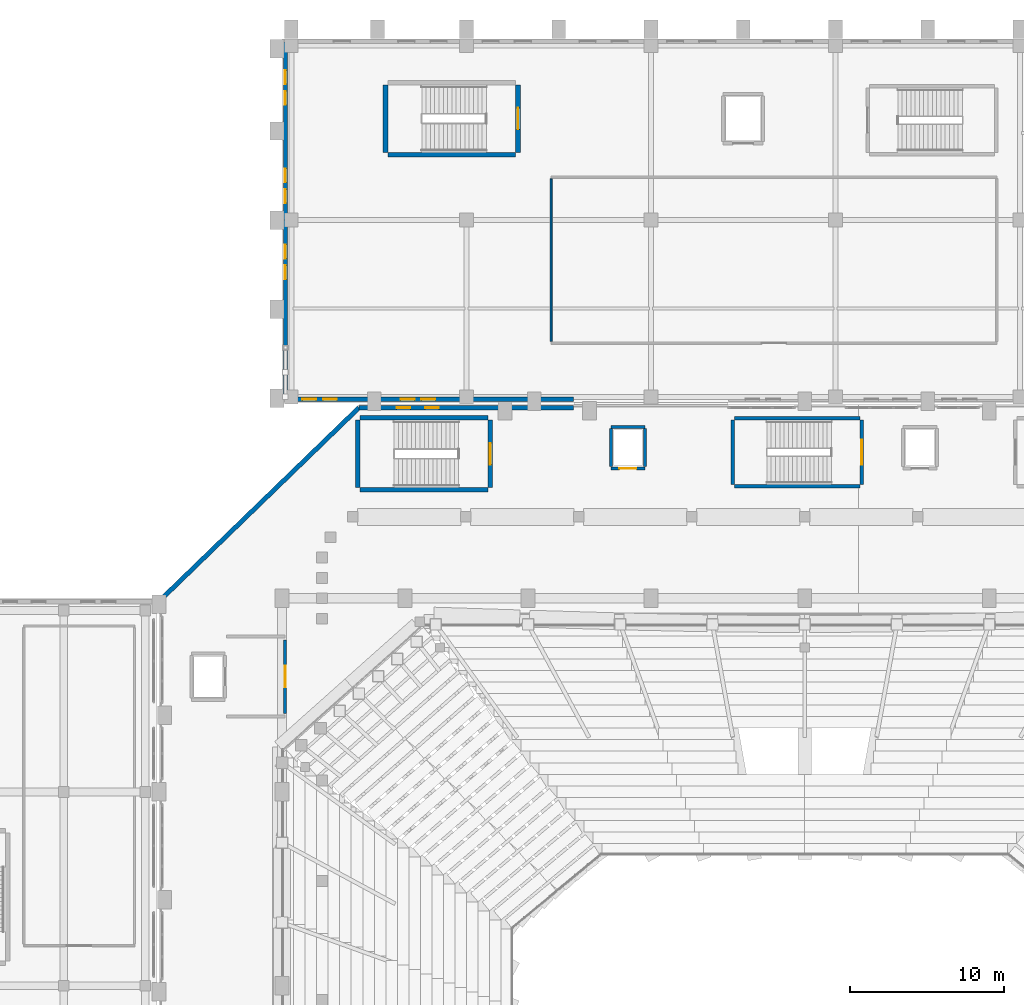
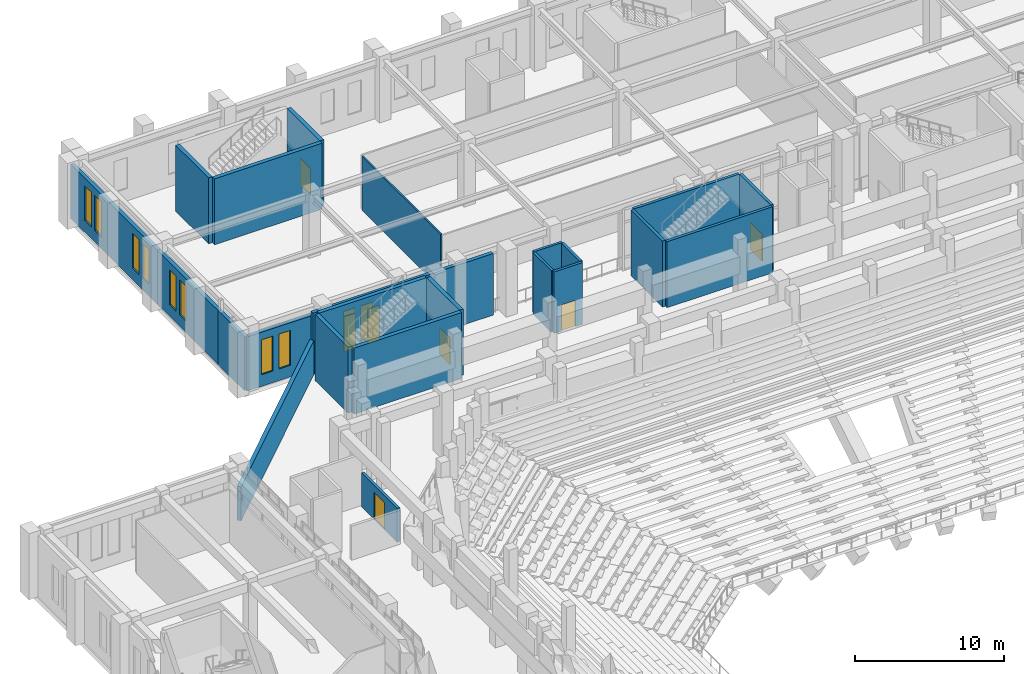
# One storey, part 130 of 159: 23 walls, 12 windows, 5 doors, 17 openings.
"""IFC4 building model written with IfcOpenShell, lengths in metres."""

from ifc_helpers import new_model, si_unit, derived_unit, direction, frame, frame_2d, origin, place, context, subcontext, project, spatial, rectangle, extrude, material, layer, layer_set, type_object, element, fill, save


model = new_model("IFC4")

# Units and contexts
model_context = context("Model", 3, precision=1e-05, world=origin(), true_north=direction((0.0, 1.0)))
body_context = subcontext(model_context, "Body", "Model", "MODEL_VIEW")
ifc_project = project(units=[si_unit("LENGTHUNIT", "METRE"), si_unit("AREAUNIT", "SQUARE_METRE"), si_unit("VOLUMEUNIT", "CUBIC_METRE"), si_unit("PLANEANGLEUNIT", "RADIAN"), si_unit("MASSUNIT", "GRAM", prefix="KILO"), derived_unit("THERMALTRANSMITTANCEUNIT", [(si_unit("MASSUNIT", "GRAM", prefix="KILO"), 1), (si_unit("TIMEUNIT", "SECOND"), -3), (si_unit("THERMODYNAMICTEMPERATUREUNIT", "KELVIN"), -1)])], contexts=[model_context])

# Site, building, storey
site_placement = place(None, origin())
site = spatial("IfcSite", under=ifc_project, at=site_placement, CompositionType="ELEMENT")
building_placement = place(site_placement, origin())
building = spatial("IfcBuilding", under=site, at=building_placement, Name="Valcora Ridge Arena", CompositionType="ELEMENT")
storey_placement = place(building_placement, frame((0.0, 0.0, 6.0)))
storey = spatial("IfcBuildingStorey", under=building, at=storey_placement, Name="L01", CompositionType="ELEMENT", Elevation=6.0)

# Wall
ifc_material_1 = material(Name="Bush-hammered Andean travertine on concrete backup C40/50", Category="masonry")
ifc_layer_1 = layer(ifc_material_1, 0.280029296875, Name="Bush-hammered Andean travertine on concrete backup C40/50")
ifc_layer_set_1 = layer_set([ifc_layer_1], Name="Bush-hammered Andean travertine on concrete backup C40/50")
wall_type_1 = type_object("IfcWallType", Name="TY-WALL-EW-TRV-28-44", PredefinedType="STANDARD", material=ifc_layer_set_1)
wall_1_placement = place(storey_placement, frame((24.219970703125, 108.550048828125, 0.0), z_axis=(0.0, 0.0, 1.0), x_axis=(0.0, 1.0, 0.0)))
element("IfcWall", 1, at=wall_1_placement, inside=storey, type_object=wall_type_1, Name="EW-TRV-28-44 WAL-EW-0155", PredefinedType="STANDARD", context=body_context, shape_type="SweptSolid", body=[
    extrude(rectangle(XDim=3.5, YDim=0.280029296875, at=frame_2d((1.75, 0.0))), origin(), (0.0, 0.0, 1.0), 4.427978515625),
])

# Wall, openings, windows
wall_2_placement = place(storey_placement, frame((24.219970703125, 112.050048828125, 0.0), z_axis=(0.0, 0.0, 1.0), x_axis=(0.0, 1.0, 0.0)))
wall_2 = element("IfcWall", 2, at=wall_2_placement, inside=storey, type_object=wall_type_1, Name="EW-TRV-28-44 WAL-EW-0156", PredefinedType="STANDARD", context=body_context, shape_type="SweptSolid", body=[
    extrude(rectangle(XDim=8.14990234375, YDim=0.280029296875, at=frame_2d((4.074951171875, 0.0))), origin(), (0.0, 0.0, 1.0), 4.427978515625),
])
opening_1_placement = place(wall_2_placement, frame((4.300048828125, 0.0, 0.949951171875)))
opening_1 = element("IfcOpeningElement", 3, at=opening_1_placement, cuts=wall_2, Name="Opening W-GLAN-90X285", PredefinedType="OPENING", context=body_context, shape_type="SweptSolid", body=[
    extrude(rectangle(XDim=0.89990234375, YDim=2.85009765625, at=frame_2d((0.449951171875, 1.425048828125))), frame((0.0, 0.14990234375, 0.0), z_axis=(0.0, -1.0, 0.0), x_axis=(1.0, 0.0, 0.0)), (0.0, 0.0, 1.0), 0.300048828125),
])
opening_2_placement = place(wall_2_placement, frame((5.64990234375, 0.0, 0.949951171875)))
opening_2 = element("IfcOpeningElement", 4, at=opening_2_placement, cuts=wall_2, Name="Opening W-GLAN-90X285", PredefinedType="OPENING", context=body_context, shape_type="SweptSolid", body=[
    extrude(rectangle(XDim=0.89990234375, YDim=2.85009765625, at=frame_2d((0.449951171875, 1.425048828125))), frame((0.0, 0.14990234375, 0.0), z_axis=(0.0, -1.0, 0.0), x_axis=(1.0, 0.0, 0.0)), (0.0, 0.0, 1.0), 0.300048828125),
])
ifc_material_2 = material(Name="Low-iron solar-control double glazing SHGC 0.28", Category="glass")
window_type = type_object("IfcWindowType", Name="TY-WINDOW-W-GLAN-90X285", PartitioningType="DOUBLE_PANEL_VERTICAL", PredefinedType="WINDOW", material=ifc_material_2)
window_1_placement = place(opening_1_placement, origin())
window_1 = element("IfcWindow", 5, at=window_1_placement, inside=storey, type_object=window_type, Name="W-GLAN-90X285 WIN-EX-0472", OverallHeight=2.85009765625, OverallWidth=0.89990234375, PartitioningType="DOUBLE_PANEL_VERTICAL", PredefinedType="WINDOW", context=body_context, shape_type="SweptSolid", body=[
    extrude(rectangle(XDim=0.89990234375, YDim=2.85009765625, at=frame_2d((0.449951171875, 1.425048828125))), frame((0.0, 0.030029296875, 0.0), z_axis=(0.0, -1.0, 0.0), x_axis=(1.0, 0.0, 0.0)), (0.0, 0.0, 1.0), 0.06005859375),
])
fill(opening_1, window_1)
window_2_placement = place(opening_2_placement, origin())
window_2 = element("IfcWindow", 6, at=window_2_placement, inside=storey, type_object=window_type, Name="W-GLAN-90X285 WIN-EX-0473", OverallHeight=2.85009765625, OverallWidth=0.89990234375, PartitioningType="DOUBLE_PANEL_VERTICAL", PredefinedType="WINDOW", context=body_context, shape_type="SweptSolid", body=[
    extrude(rectangle(XDim=0.89990234375, YDim=2.85009765625, at=frame_2d((0.449951171875, 1.425048828125))), frame((0.0, 0.030029296875, 0.0), z_axis=(0.0, -1.0, 0.0), x_axis=(1.0, 0.0, 0.0)), (0.0, 0.0, 1.0), 0.06005859375),
])
fill(opening_2, window_2)

wall_3_placement = place(storey_placement, frame((24.219970703125, 120.199951171875, 0.0), z_axis=(0.0, 0.0, 1.0), x_axis=(0.0, 1.0, 0.0)))
wall_3 = element("IfcWall", 7, at=wall_3_placement, inside=storey, type_object=wall_type_1, Name="EW-TRV-28-44 WAL-EW-0157", PredefinedType="STANDARD", context=body_context, shape_type="SweptSolid", body=[
    extrude(rectangle(XDim=11.60009765625, YDim=0.280029296875, at=frame_2d((5.800048828125, 0.0))), origin(), (0.0, 0.0, 1.0), 4.427978515625),
])
opening_3_placement = place(wall_3_placement, frame((1.10009765625, 0.0, 0.949951171875)))
opening_3 = element("IfcOpeningElement", 8, at=opening_3_placement, cuts=wall_3, Name="Opening W-GLAN-90X285", PredefinedType="OPENING", context=body_context, shape_type="SweptSolid", body=[
    extrude(rectangle(XDim=0.89990234375, YDim=2.85009765625, at=frame_2d((0.449951171875, 1.425048828125))), frame((0.0, 0.14990234375, 0.0), z_axis=(0.0, -1.0, 0.0), x_axis=(1.0, 0.0, 0.0)), (0.0, 0.0, 1.0), 0.300048828125),
])
opening_4_placement = place(wall_3_placement, frame((2.449951171875, 0.0, 0.949951171875)))
opening_4 = element("IfcOpeningElement", 9, at=opening_4_placement, cuts=wall_3, Name="Opening W-GLAN-90X285", PredefinedType="OPENING", context=body_context, shape_type="SweptSolid", body=[
    extrude(rectangle(XDim=0.89990234375, YDim=2.85009765625, at=frame_2d((0.449951171875, 1.425048828125))), frame((0.0, 0.14990234375, 0.0), z_axis=(0.0, -1.0, 0.0), x_axis=(1.0, 0.0, 0.0)), (0.0, 0.0, 1.0), 0.300048828125),
])
opening_5_placement = place(wall_3_placement, frame((7.5, 0.0, 0.949951171875)))
opening_5 = element("IfcOpeningElement", 10, at=opening_5_placement, cuts=wall_3, Name="Opening W-GLAN-90X285", PredefinedType="OPENING", context=body_context, shape_type="SweptSolid", body=[
    extrude(rectangle(XDim=0.89990234375, YDim=2.85009765625, at=frame_2d((0.449951171875, 1.425048828125))), frame((0.0, 0.14990234375, 0.0), z_axis=(0.0, -1.0, 0.0), x_axis=(1.0, 0.0, 0.0)), (0.0, 0.0, 1.0), 0.300048828125),
])
opening_6_placement = place(wall_3_placement, frame((8.85009765625, 0.0, 0.949951171875)))
opening_6 = element("IfcOpeningElement", 11, at=opening_6_placement, cuts=wall_3, Name="Opening W-GLAN-90X285", PredefinedType="OPENING", context=body_context, shape_type="SweptSolid", body=[
    extrude(rectangle(XDim=0.89990234375, YDim=2.85009765625, at=frame_2d((0.449951171875, 1.425048828125))), frame((0.0, 0.14990234375, 0.0), z_axis=(0.0, -1.0, 0.0), x_axis=(1.0, 0.0, 0.0)), (0.0, 0.0, 1.0), 0.300048828125),
])
window_3_placement = place(opening_3_placement, origin())
window_3 = element("IfcWindow", 12, at=window_3_placement, inside=storey, type_object=window_type, Name="W-GLAN-90X285 WIN-EX-0474", OverallHeight=2.85009765625, OverallWidth=0.89990234375, PartitioningType="DOUBLE_PANEL_VERTICAL", PredefinedType="WINDOW", context=body_context, shape_type="SweptSolid", body=[
    extrude(rectangle(XDim=0.89990234375, YDim=2.85009765625, at=frame_2d((0.449951171875, 1.425048828125))), frame((0.0, 0.030029296875, 0.0), z_axis=(0.0, -1.0, 0.0), x_axis=(1.0, 0.0, 0.0)), (0.0, 0.0, 1.0), 0.06005859375),
])
fill(opening_3, window_3)
window_4_placement = place(opening_4_placement, origin())
window_4 = element("IfcWindow", 13, at=window_4_placement, inside=storey, type_object=window_type, Name="W-GLAN-90X285 WIN-EX-0475", OverallHeight=2.85009765625, OverallWidth=0.89990234375, PartitioningType="DOUBLE_PANEL_VERTICAL", PredefinedType="WINDOW", context=body_context, shape_type="SweptSolid", body=[
    extrude(rectangle(XDim=0.89990234375, YDim=2.85009765625, at=frame_2d((0.449951171875, 1.425048828125))), frame((0.0, 0.030029296875, 0.0), z_axis=(0.0, -1.0, 0.0), x_axis=(1.0, 0.0, 0.0)), (0.0, 0.0, 1.0), 0.06005859375),
])
fill(opening_4, window_4)
window_5_placement = place(opening_5_placement, origin())
window_5 = element("IfcWindow", 14, at=window_5_placement, inside=storey, type_object=window_type, Name="W-GLAN-90X285 WIN-EX-0476", OverallHeight=2.85009765625, OverallWidth=0.89990234375, PartitioningType="DOUBLE_PANEL_VERTICAL", PredefinedType="WINDOW", context=body_context, shape_type="SweptSolid", body=[
    extrude(rectangle(XDim=0.89990234375, YDim=2.85009765625, at=frame_2d((0.449951171875, 1.425048828125))), frame((0.0, 0.030029296875, 0.0), z_axis=(0.0, -1.0, 0.0), x_axis=(1.0, 0.0, 0.0)), (0.0, 0.0, 1.0), 0.06005859375),
])
fill(opening_5, window_5)
window_6_placement = place(opening_6_placement, origin())
window_6 = element("IfcWindow", 15, at=window_6_placement, inside=storey, type_object=window_type, Name="W-GLAN-90X285 WIN-EX-0477", OverallHeight=2.85009765625, OverallWidth=0.89990234375, PartitioningType="DOUBLE_PANEL_VERTICAL", PredefinedType="WINDOW", context=body_context, shape_type="SweptSolid", body=[
    extrude(rectangle(XDim=0.89990234375, YDim=2.85009765625, at=frame_2d((0.449951171875, 1.425048828125))), frame((0.0, 0.030029296875, 0.0), z_axis=(0.0, -1.0, 0.0), x_axis=(1.0, 0.0, 0.0)), (0.0, 0.0, 1.0), 0.06005859375),
])
fill(opening_6, window_6)

wall_4_placement = place(storey_placement, frame((24.219970703125, 108.550048828125, 0.0), z_axis=(0.0, 0.0, 1.0), x_axis=(1.0, 0.0, 0.0)))
wall_4 = element("IfcWall", 16, at=wall_4_placement, inside=storey, type_object=wall_type_1, Name="EW-TRV-28-44 WAL-EW-0158", PredefinedType="STANDARD", context=body_context, shape_type="SweptSolid", body=[
    extrude(rectangle(XDim=18.72998046875, YDim=0.280029296875, at=frame_2d((9.364990234375, 0.0))), origin(), (0.0, 0.0, 1.0), 4.427978515625),
])
opening_7_placement = place(wall_4_placement, frame((1.10009765625, 0.0, 0.949951171875)))
opening_7 = element("IfcOpeningElement", 17, at=opening_7_placement, cuts=wall_4, Name="Opening W-GLAN-90X285", PredefinedType="OPENING", context=body_context, shape_type="SweptSolid", body=[
    extrude(rectangle(XDim=0.89990234375, YDim=2.85009765625, at=frame_2d((0.449951171875, 1.425048828125))), frame((0.0, 0.14990234375, 0.0), z_axis=(0.0, -1.0, 0.0), x_axis=(1.0, 0.0, 0.0)), (0.0, 0.0, 1.0), 0.300048828125),
])
opening_8_placement = place(wall_4_placement, frame((2.449951171875, 0.0, 0.949951171875)))
opening_8 = element("IfcOpeningElement", 18, at=opening_8_placement, cuts=wall_4, Name="Opening W-GLAN-90X285", PredefinedType="OPENING", context=body_context, shape_type="SweptSolid", body=[
    extrude(rectangle(XDim=0.89990234375, YDim=2.85009765625, at=frame_2d((0.449951171875, 1.425048828125))), frame((0.0, 0.14990234375, 0.0), z_axis=(0.0, -1.0, 0.0), x_axis=(1.0, 0.0, 0.0)), (0.0, 0.0, 1.0), 0.300048828125),
])
opening_9_placement = place(wall_4_placement, frame((7.5, 0.0, 0.949951171875)))
opening_9 = element("IfcOpeningElement", 19, at=opening_9_placement, cuts=wall_4, Name="Opening W-GLAN-90X285", PredefinedType="OPENING", context=body_context, shape_type="SweptSolid", body=[
    extrude(rectangle(XDim=0.89990234375, YDim=2.85009765625, at=frame_2d((0.449951171875, 1.425048828125))), frame((0.0, 0.14990234375, 0.0), z_axis=(0.0, -1.0, 0.0), x_axis=(1.0, 0.0, 0.0)), (0.0, 0.0, 1.0), 0.300048828125),
])
opening_10_placement = place(wall_4_placement, frame((8.85009765625, 0.0, 0.949951171875)))
opening_10 = element("IfcOpeningElement", 20, at=opening_10_placement, cuts=wall_4, Name="Opening W-GLAN-90X285", PredefinedType="OPENING", context=body_context, shape_type="SweptSolid", body=[
    extrude(rectangle(XDim=0.89990234375, YDim=2.85009765625, at=frame_2d((0.449951171875, 1.425048828125))), frame((0.0, 0.14990234375, 0.0), z_axis=(0.0, -1.0, 0.0), x_axis=(1.0, 0.0, 0.0)), (0.0, 0.0, 1.0), 0.300048828125),
])
window_7_placement = place(opening_7_placement, origin())
window_7 = element("IfcWindow", 21, at=window_7_placement, inside=storey, type_object=window_type, Name="W-GLAN-90X285 WIN-EX-0478", OverallHeight=2.85009765625, OverallWidth=0.89990234375, PartitioningType="DOUBLE_PANEL_VERTICAL", PredefinedType="WINDOW", context=body_context, shape_type="SweptSolid", body=[
    extrude(rectangle(XDim=0.89990234375, YDim=2.85009765625, at=frame_2d((0.449951171875, 1.425048828125))), frame((0.0, 0.030029296875, 0.0), z_axis=(0.0, -1.0, 0.0), x_axis=(1.0, 0.0, 0.0)), (0.0, 0.0, 1.0), 0.06005859375),
])
fill(opening_7, window_7)
window_8_placement = place(opening_8_placement, origin())
window_8 = element("IfcWindow", 22, at=window_8_placement, inside=storey, type_object=window_type, Name="W-GLAN-90X285 WIN-EX-0479", OverallHeight=2.85009765625, OverallWidth=0.89990234375, PartitioningType="DOUBLE_PANEL_VERTICAL", PredefinedType="WINDOW", context=body_context, shape_type="SweptSolid", body=[
    extrude(rectangle(XDim=0.89990234375, YDim=2.85009765625, at=frame_2d((0.449951171875, 1.425048828125))), frame((0.0, 0.030029296875, 0.0), z_axis=(0.0, -1.0, 0.0), x_axis=(1.0, 0.0, 0.0)), (0.0, 0.0, 1.0), 0.06005859375),
])
fill(opening_8, window_8)
window_9_placement = place(opening_9_placement, origin())
window_9 = element("IfcWindow", 23, at=window_9_placement, inside=storey, type_object=window_type, Name="W-GLAN-90X285 WIN-EX-0480", OverallHeight=2.85009765625, OverallWidth=0.89990234375, PartitioningType="DOUBLE_PANEL_VERTICAL", PredefinedType="WINDOW", context=body_context, shape_type="SweptSolid", body=[
    extrude(rectangle(XDim=0.89990234375, YDim=2.85009765625, at=frame_2d((0.449951171875, 1.425048828125))), frame((0.0, 0.030029296875, 0.0), z_axis=(0.0, -1.0, 0.0), x_axis=(1.0, 0.0, 0.0)), (0.0, 0.0, 1.0), 0.06005859375),
])
fill(opening_9, window_9)
window_10_placement = place(opening_10_placement, origin())
window_10 = element("IfcWindow", 24, at=window_10_placement, inside=storey, type_object=window_type, Name="W-GLAN-90X285 WIN-EX-0481", OverallHeight=2.85009765625, OverallWidth=0.89990234375, PartitioningType="DOUBLE_PANEL_VERTICAL", PredefinedType="WINDOW", context=body_context, shape_type="SweptSolid", body=[
    extrude(rectangle(XDim=0.89990234375, YDim=2.85009765625, at=frame_2d((0.449951171875, 1.425048828125))), frame((0.0, 0.030029296875, 0.0), z_axis=(0.0, -1.0, 0.0), x_axis=(1.0, 0.0, 0.0)), (0.0, 0.0, 1.0), 0.06005859375),
])
fill(opening_10, window_10)

ifc_layer_2 = layer(ifc_material_1, 0.280029296875, Name="Bush-hammered Andean travertine on concrete backup C40/50")
ifc_layer_set_2 = layer_set([ifc_layer_2], Name="Bush-hammered Andean travertine on concrete backup C40/50")
wall_type_2 = type_object("IfcWallType", Name="TY-WALL-EW-TRV-28-50", PredefinedType="STANDARD", material=ifc_layer_set_2)
wall_5_placement = place(storey_placement, frame((29.0, 108.0, 0.0), z_axis=(0.0, 0.0, 1.0), x_axis=(1.0, 0.0, 0.0)))
wall_5 = element("IfcWall", 25, at=wall_5_placement, inside=storey, type_object=wall_type_2, Name="EW-TRV-28-50 WAL-EW-0043", PredefinedType="STANDARD", context=body_context, shape_type="SweptSolid", body=[
    extrude(rectangle(XDim=13.949951171875, YDim=0.280029296875, at=frame_2d((6.97509765625, 0.0))), origin(), (0.0, 0.0, 1.0), 5.0400390625),
])
opening_11_placement = place(wall_5_placement, frame((2.449951171875, 0.0, 0.949951171875)))
opening_11 = element("IfcOpeningElement", 26, at=opening_11_placement, cuts=wall_5, Name="Opening W-GLAN-90X285", PredefinedType="OPENING", context=body_context, shape_type="SweptSolid", body=[
    extrude(rectangle(XDim=0.89990234375, YDim=2.85009765625, at=frame_2d((0.449951171875, 1.425048828125))), frame((0.0, 0.14990234375, 0.0), z_axis=(0.0, -1.0, 0.0), x_axis=(1.0, 0.0, 0.0)), (0.0, 0.0, 1.0), 0.300048828125),
])
opening_12_placement = place(wall_5_placement, frame((4.300048828125, 0.0, 0.949951171875)))
opening_12 = element("IfcOpeningElement", 27, at=opening_12_placement, cuts=wall_5, Name="Opening W-GLAN-90X285", PredefinedType="OPENING", context=body_context, shape_type="SweptSolid", body=[
    extrude(rectangle(XDim=0.89990234375, YDim=2.85009765625, at=frame_2d((0.449951171875, 1.425048828125))), frame((0.0, 0.14990234375, 0.0), z_axis=(0.0, -1.0, 0.0), x_axis=(1.0, 0.0, 0.0)), (0.0, 0.0, 1.0), 0.300048828125),
])
window_11_placement = place(opening_11_placement, origin())
window_11 = element("IfcWindow", 28, at=window_11_placement, inside=storey, type_object=window_type, Name="W-GLAN-90X285 WIN-EX-0089", OverallHeight=2.85009765625, OverallWidth=0.89990234375, PartitioningType="DOUBLE_PANEL_VERTICAL", PredefinedType="WINDOW", context=body_context, shape_type="SweptSolid", body=[
    extrude(rectangle(XDim=0.89990234375, YDim=2.85009765625, at=frame_2d((0.449951171875, 1.425048828125))), frame((0.0, 0.030029296875, 0.0), z_axis=(0.0, -1.0, 0.0), x_axis=(1.0, 0.0, 0.0)), (0.0, 0.0, 1.0), 0.06005859375),
])
fill(opening_11, window_11)
window_12_placement = place(opening_12_placement, origin())
window_12 = element("IfcWindow", 29, at=window_12_placement, inside=storey, type_object=window_type, Name="W-GLAN-90X285 WIN-EX-0090", OverallHeight=2.85009765625, OverallWidth=0.89990234375, PartitioningType="DOUBLE_PANEL_VERTICAL", PredefinedType="WINDOW", context=body_context, shape_type="SweptSolid", body=[
    extrude(rectangle(XDim=0.89990234375, YDim=2.85009765625, at=frame_2d((0.449951171875, 1.425048828125))), frame((0.0, 0.030029296875, 0.0), z_axis=(0.0, -1.0, 0.0), x_axis=(1.0, 0.0, 0.0)), (0.0, 0.0, 1.0), 0.06005859375),
])
fill(opening_12, window_12)

# Wall
ifc_layer_3 = layer(ifc_material_1, 0.300048828125, Name="Bush-hammered Andean travertine on concrete backup C40/50")
ifc_layer_set_3 = layer_set([ifc_layer_3], Name="Bush-hammered Andean travertine on concrete backup C40/50")
wall_type_3 = type_object("IfcWallType", Name="TY-WALL-EW-TRV-30-28", PredefinedType="STANDARD", material=ifc_layer_set_3)
wall_6_placement = place(storey_placement, frame((29.0, 108.0, 0.0), z_axis=(0.0, 0.0, 1.0), x_axis=(-0.718244287729, -0.695791019736, 0.0)))
element("IfcWall", 30, at=wall_6_placement, inside=storey, type_object=wall_type_3, Name="EW-TRV-30-28 WAL-EW-0041", PredefinedType="STANDARD", context=body_context, shape_type="SweptSolid", body=[
    extrude(rectangle(XDim=17.8212890625, YDim=0.300048828125, at=frame_2d((8.91064453125, 0.0))), origin(), (0.0, 0.0, 1.0), 2.77490234375),
])

# Wall, opening, door
ifc_material_3 = material(Name="Fire-resisting reinforced concrete enclosure C40/50 200 mm", Category="concrete")
ifc_layer_4 = layer(ifc_material_3, 0.199951171875, Name="Fire-resisting reinforced concrete enclosure C40/50 200 mm")
ifc_layer_set_4 = layer_set([ifc_layer_4], Name="Fire-resisting reinforced concrete enclosure C40/50 200 mm")
wall_type_4 = type_object("IfcWallType", Name="TY-WALL-IW-FIRE-200", PredefinedType="STANDARD", material=ifc_layer_set_4)
wall_7_placement = place(storey_placement, frame((24.199951171875, 88.10009765625, 0.0), z_axis=(0.0, 0.0, 1.0), x_axis=(0.0, 1.0, 0.0)))
wall_7 = element("IfcWall", 31, at=wall_7_placement, inside=storey, type_object=wall_type_4, Name="IW-FIRE-200 WAL-IN-0030", PredefinedType="STANDARD", context=body_context, shape_type="SweptSolid", body=[
    extrude(rectangle(XDim=4.7998046875, YDim=0.199951171875, at=frame_2d((2.39990234375, 0.0))), origin(), (0.0, 0.0, 1.0), 2.77490234375),
])
opening_13_placement = place(wall_7_placement, frame((1.699951171875, 0.0, 0.0)))
opening_13 = element("IfcOpeningElement", 32, at=opening_13_placement, cuts=wall_7, Name="Opening FD-FFL-1400", PredefinedType="OPENING", context=body_context, shape_type="SweptSolid", body=[
    extrude(rectangle(XDim=1.39990234375, YDim=2.199951171875, at=frame_2d((0.699951171875, 1.10009765625))), frame((0.0, 0.10986328125, 0.0), z_axis=(0.0, -1.0, 0.0), x_axis=(1.0, 0.0, 0.0)), (0.0, 0.0, 1.0), 0.219970703125),
])
ifc_material_4 = material(Name="Insulated fire-rated steel door leaf", Category="steel")
door_type_1 = type_object("IfcDoorType", Name="TY-DOOR-FD-FFL-1400", OperationType="NOTDEFINED", PredefinedType="DOOR", material=ifc_material_4)
door_1_placement = place(opening_13_placement, origin())
door_1 = element("IfcDoor", 33, at=door_1_placement, inside=storey, type_object=door_type_1, Name="FD-FFL-1400 DOR-IN-0010", OperationType="DOUBLE_DOOR_SINGLE_SWING", OverallHeight=2.199951171875, OverallWidth=1.39990234375, PredefinedType="DOOR", context=body_context, shape_type="SweptSolid", body=[
    extrude(rectangle(XDim=1.39990234375, YDim=2.199951171875, at=frame_2d((0.699951171875, 1.10009765625))), frame((0.0, 0.02490234375, 0.0), z_axis=(0.0, -1.0, 0.0), x_axis=(1.0, 0.0, 0.0)), (0.0, 0.0, 1.0), 0.050048828125),
])
fill(opening_13, door_1)

# Wall
ifc_material_5 = material(Name="Acoustic metal-stud gypsum partition 120 mm")
ifc_layer_5 = layer(ifc_material_5, 0.1201171875, Name="Acoustic metal-stud gypsum partition 120 mm")
ifc_layer_set_5 = layer_set([ifc_layer_5], Name="Acoustic metal-stud gypsum partition 120 mm")
wall_type_5 = type_object("IfcWallType", Name="TY-WALL-IW-PART-120", PredefinedType="PARTITIONING", material=ifc_layer_set_5)
wall_8_placement = place(storey_placement, frame((41.5, 112.320068359375, 0.0), z_axis=(0.0, 0.0, 1.0), x_axis=(0.0, 1.0, 0.0)))
element("IfcWall", 34, at=wall_8_placement, inside=storey, type_object=wall_type_5, Name="IW-PART-120 WAL-IN-0335", PredefinedType="PARTITIONING", context=body_context, shape_type="SweptSolid", body=[
    extrude(rectangle(XDim=10.559814453125, YDim=0.1201171875, at=frame_2d((5.27978515625, 0.0))), origin(), (0.0, 0.0, 1.0), 4.427978515625),
])

# Wall, opening, door
ifc_material_6 = material(Name="Concrete C40/50", Category="concrete")
ifc_layer_6 = layer(ifc_material_6, 0.199951171875, Name="Concrete C40/50")
ifc_layer_set_6 = layer_set([ifc_layer_6], Name="Concrete C40/50")
wall_type_6 = type_object("IfcWallType", Name="TY-WALL-IW-SHF-200", PredefinedType="STANDARD", material=ifc_layer_set_6)
wall_9_placement = place(storey_placement, frame((45.39990234375, 104.050048828125, 0.0), z_axis=(0.0, 0.0, 1.0), x_axis=(1.0, 0.0, 0.0)))
wall_9 = element("IfcWall", 35, at=wall_9_placement, inside=storey, type_object=wall_type_6, Name="IW-SHF-200 WAL-SH-0113", PredefinedType="STANDARD", context=body_context, shape_type="SweptSolid", body=[
    extrude(rectangle(XDim=2.2001953125, YDim=0.199951171875, at=frame_2d((1.10009765625, 0.0))), origin(), (0.0, 0.0, 1.0), 5.0400390625),
])
opening_14_placement = place(wall_9_placement, frame((0.550048828125, 0.0, 0.0)))
opening_14 = element("IfcOpeningElement", 36, at=opening_14_placement, cuts=wall_9, Name="Opening LD-PAX", PredefinedType="OPENING", context=body_context, shape_type="SweptSolid", body=[
    extrude(rectangle(XDim=1.10009765625, YDim=2.14990234375, at=frame_2d((0.550048828125, 1.074951171875))), frame((0.0, 0.10986328125, 0.0), z_axis=(0.0, -1.0, 0.0), x_axis=(1.0, 0.0, 0.0)), (0.0, 0.0, 1.0), 0.219970703125),
])
ifc_material_7 = material(Name="Insulated fire-rated hollow metal steel", Category="steel")
door_type_2 = type_object("IfcDoorType", Name="TY-DOOR-LD-PAX", OperationType="NOTDEFINED", PredefinedType="DOOR", material=ifc_material_7)
door_2_placement = place(opening_14_placement, origin())
door_2 = element("IfcDoor", 37, at=door_2_placement, inside=storey, type_object=door_type_2, Name="PL3 Landing Door L01", OperationType="SLIDING_TO_LEFT", OverallHeight=2.14990234375, OverallWidth=1.10009765625, PredefinedType="DOOR", context=body_context, shape_type="SweptSolid", body=[
    extrude(rectangle(XDim=1.10009765625, YDim=2.14990234375, at=frame_2d((0.550048828125, 1.074951171875))), frame((0.0, 0.02490234375, 0.0), z_axis=(0.0, -1.0, 0.0), x_axis=(1.0, 0.0, 0.0)), (0.0, 0.0, 1.0), 0.050048828125),
])
fill(opening_14, door_2)

# Walls
wall_10_placement = place(storey_placement, frame((45.39990234375, 106.75, 0.0), z_axis=(0.0, 0.0, 1.0), x_axis=(1.0, 0.0, 0.0)))
element("IfcWall", 38, at=wall_10_placement, inside=storey, type_object=wall_type_6, Name="IW-SHF-200 WAL-SH-0114", PredefinedType="STANDARD", context=body_context, shape_type="SweptSolid", body=[
    extrude(rectangle(XDim=2.2001953125, YDim=0.199951171875, at=frame_2d((1.10009765625, 0.0))), origin(), (0.0, 0.0, 1.0), 5.0400390625),
])
for number, where, z_axis, x_axis, name in (
    (39, (45.39990234375, 104.169921875, 0.0), (0.0, 0.0, 1.0), (0.0, 1.0, 0.0), "IW-SHF-200 WAL-SH-0115"),
    (40, (47.60009765625, 104.169921875, 0.0), (0.0, 0.0, 1.0), (0.0, 1.0, 0.0), "IW-SHF-200 WAL-SH-0116"),
):
    element("IfcWall", number, at=place(storey_placement, frame(where, z_axis=z_axis, x_axis=x_axis)), inside=storey, type_object=wall_type_6, Name=name, PredefinedType="STANDARD", context=body_context, shape_type="SweptSolid", body=[
        extrude(rectangle(XDim=2.4599609375, YDim=0.199951171875, at=frame_2d((1.22998046875, 0.0))), origin(), (0.0, 0.0, 1.0), 5.0400390625),
    ])
ifc_material_8 = material(Name="Concrete C45/55", Category="concrete")
ifc_layer_7 = layer(ifc_material_8, 0.300048828125, Name="Concrete C45/55")
ifc_layer_set_7 = layer_set([ifc_layer_7], Name="Concrete C45/55")
wall_type_7 = type_object("IfcWallType", Name="TY-WALL-SW-C300-L", PredefinedType="SHEAR", material=ifc_layer_set_7)
for number, where, z_axis, x_axis, name in (
    (41, (29.080078125, 102.64990234375, 0.0), (0.0, 0.0, 1.0), (1.0, 0.0, 0.0), "SW-C300-L WAL-CR-0061"),
    (42, (29.080078125, 107.35009765625, 0.0), (0.0, 0.0, 1.0), (1.0, 0.0, 0.0), "SW-C300-L WAL-CR-0062"),
):
    element("IfcWall", number, at=place(storey_placement, frame(where, z_axis=z_axis, x_axis=x_axis)), inside=storey, type_object=wall_type_7, Name=name, PredefinedType="SHEAR", context=body_context, shape_type="SweptSolid", body=[
        extrude(rectangle(XDim=8.31982421875, YDim=0.300048828125, at=frame_2d((4.159912109375, 0.0))), origin(), (0.0, 0.0, 1.0), 5.39990234375),
    ])
wall_11_placement = place(storey_placement, frame((30.8798828125, 124.449951171875, 0.0), z_axis=(0.0, 0.0, 1.0), x_axis=(1.0, 0.0, 0.0)))
element("IfcWall", 43, at=wall_11_placement, inside=storey, type_object=wall_type_7, Name="SW-C300-L WAL-CR-0185", PredefinedType="SHEAR", context=body_context, shape_type="SweptSolid", body=[
    extrude(rectangle(XDim=8.320068359375, YDim=0.300048828125, at=frame_2d((4.16015625, 0.0))), origin(), (0.0, 0.0, 1.0), 5.39990234375),
])
ifc_layer_8 = layer(ifc_material_8, 0.300048828125, Name="Concrete C45/55")
ifc_layer_set_8 = layer_set([ifc_layer_8], Name="Concrete C45/55")
wall_type_8 = type_object("IfcWallType", Name="TY-WALL-SW-C300-S", PredefinedType="SHEAR", material=ifc_layer_set_8)
wall_12_placement = place(storey_placement, frame((28.929931640625, 102.800048828125, 0.0), z_axis=(0.0, 0.0, 1.0), x_axis=(0.0, 1.0, 0.0)))
element("IfcWall", 44, at=wall_12_placement, inside=storey, type_object=wall_type_8, Name="SW-C300-S WAL-CR-0063", PredefinedType="SHEAR", context=body_context, shape_type="SweptSolid", body=[
    extrude(rectangle(XDim=4.39990234375, YDim=0.300048828125, at=frame_2d((2.199951171875, 0.0))), origin(), (0.0, 0.0, 1.0), 5.39990234375),
])

# Wall, opening, door
wall_13_placement = place(storey_placement, frame((37.550048828125, 102.800048828125, 0.0), z_axis=(0.0, 0.0, 1.0), x_axis=(0.0, 1.0, 0.0)))
wall_13 = element("IfcWall", 45, at=wall_13_placement, inside=storey, type_object=wall_type_8, Name="SW-C300-S WAL-CR-0064", PredefinedType="SHEAR", context=body_context, shape_type="SweptSolid", body=[
    extrude(rectangle(XDim=4.39990234375, YDim=0.300048828125, at=frame_2d((2.199951171875, 0.0))), origin(), (0.0, 0.0, 1.0), 5.39990234375),
])
opening_15_placement = place(wall_13_placement, frame((1.5, 0.0, 0.0)))
opening_15 = element("IfcOpeningElement", 46, at=opening_15_placement, cuts=wall_13, Name="Opening FD-01", PredefinedType="OPENING", context=body_context, shape_type="SweptSolid", body=[
    extrude(rectangle(XDim=1.39990234375, YDim=2.199951171875, at=frame_2d((0.699951171875, 1.10009765625))), frame((0.0, 0.159912109375, 0.0), z_axis=(0.0, -1.0, 0.0), x_axis=(1.0, 0.0, 0.0)), (0.0, 0.0, 1.0), 0.320068359375),
])
door_type_3 = type_object("IfcDoorType", Name="TY-DOOR-FD-01", OperationType="NOTDEFINED", PredefinedType="DOOR", material=ifc_material_4)
door_3_placement = place(opening_15_placement, origin())
door_3 = element("IfcDoor", 47, at=door_3_placement, inside=storey, type_object=door_type_3, Name="FD-01 DOR-ST-0016", OperationType="DOUBLE_DOOR_SINGLE_SWING", OverallHeight=2.199951171875, OverallWidth=1.39990234375, PredefinedType="DOOR", context=body_context, shape_type="SweptSolid", body=[
    extrude(rectangle(XDim=1.39990234375, YDim=2.199951171875, at=frame_2d((0.699951171875, 1.10009765625))), frame((0.0, 0.02490234375, 0.0), z_axis=(0.0, -1.0, 0.0), x_axis=(1.0, 0.0, 0.0)), (0.0, 0.0, 1.0), 0.050048828125),
])
fill(opening_15, door_3)

# Wall
wall_14_placement = place(storey_placement, frame((30.72998046875, 124.60009765625, 0.0), z_axis=(0.0, 0.0, 1.0), x_axis=(0.0, 1.0, 0.0)))
element("IfcWall", 48, at=wall_14_placement, inside=storey, type_object=wall_type_8, Name="SW-C300-S WAL-CR-0187", PredefinedType="SHEAR", context=body_context, shape_type="SweptSolid", body=[
    extrude(rectangle(XDim=4.39990234375, YDim=0.300048828125, at=frame_2d((2.199951171875, 0.0))), origin(), (0.0, 0.0, 1.0), 5.39990234375),
])

# Wall, opening, door
wall_15_placement = place(storey_placement, frame((39.35009765625, 124.60009765625, 0.0), z_axis=(0.0, 0.0, 1.0), x_axis=(0.0, 1.0, 0.0)))
wall_15 = element("IfcWall", 49, at=wall_15_placement, inside=storey, type_object=wall_type_8, Name="SW-C300-S WAL-CR-0188", PredefinedType="SHEAR", context=body_context, shape_type="SweptSolid", body=[
    extrude(rectangle(XDim=4.39990234375, YDim=0.300048828125, at=frame_2d((2.199951171875, 0.0))), origin(), (0.0, 0.0, 1.0), 5.39990234375),
])
opening_16_placement = place(wall_15_placement, frame((1.5, 0.0, 0.0)))
opening_16 = element("IfcOpeningElement", 50, at=opening_16_placement, cuts=wall_15, Name="Opening FD-01", PredefinedType="OPENING", context=body_context, shape_type="SweptSolid", body=[
    extrude(rectangle(XDim=1.39990234375, YDim=2.199951171875, at=frame_2d((0.699951171875, 1.10009765625))), frame((0.0, 0.159912109375, 0.0), z_axis=(0.0, -1.0, 0.0), x_axis=(1.0, 0.0, 0.0)), (0.0, 0.0, 1.0), 0.320068359375),
])
door_4_placement = place(opening_16_placement, origin())
door_4 = element("IfcDoor", 51, at=door_4_placement, inside=storey, type_object=door_type_3, Name="FD-01 DOR-ST-0047", OperationType="DOUBLE_DOOR_SINGLE_SWING", OverallHeight=2.199951171875, OverallWidth=1.39990234375, PredefinedType="DOOR", context=body_context, shape_type="SweptSolid", body=[
    extrude(rectangle(XDim=1.39990234375, YDim=2.199951171875, at=frame_2d((0.699951171875, 1.10009765625))), frame((0.0, 0.02490234375, 0.0), z_axis=(0.0, -1.0, 0.0), x_axis=(1.0, 0.0, 0.0)), (0.0, 0.0, 1.0), 0.050048828125),
])
fill(opening_16, door_4)

# Walls
ifc_layer_9 = layer(ifc_material_3, 0.219970703125, Name="Fire-resisting reinforced concrete enclosure C40/50 200 mm")
ifc_layer_set_9 = layer_set([ifc_layer_9], Name="Fire-resisting reinforced concrete enclosure C40/50 200 mm")
wall_type_9 = type_object("IfcWallType", Name="TY-WALL-SW-ES-220", PredefinedType="SHEAR", material=ifc_layer_set_9)
for number, where, z_axis, x_axis, name in (
    (52, (53.43994140625, 102.889892578125, 0.0), (0.0, 0.0, 1.0), (1.0, 0.0, 0.0), "SW-ES-220 WAL-ES-0057"),
    (53, (53.43994140625, 107.31005859375, 0.0), (0.0, 0.0, 1.0), (1.0, 0.0, 0.0), "SW-ES-220 WAL-ES-0058"),
):
    element("IfcWall", number, at=place(storey_placement, frame(where, z_axis=z_axis, x_axis=x_axis)), inside=storey, type_object=wall_type_9, Name=name, PredefinedType="SHEAR", context=body_context, shape_type="SweptSolid", body=[
        extrude(rectangle(XDim=8.16015625, YDim=0.219970703125, at=frame_2d((4.080078125, 0.0))), origin(), (0.0, 0.0, 1.0), 5.39990234375),
    ])
wall_16_placement = place(storey_placement, frame((53.330078125, 103.0, 0.0), z_axis=(0.0, 0.0, 1.0), x_axis=(0.0, 1.0, 0.0)))
element("IfcWall", 54, at=wall_16_placement, inside=storey, type_object=wall_type_9, Name="SW-ES-220 WAL-ES-0059", PredefinedType="SHEAR", context=body_context, shape_type="SweptSolid", body=[
    extrude(rectangle(XDim=4.199951171875, YDim=0.219970703125, at=frame_2d((2.10009765625, 0.0))), origin(), (0.0, 0.0, 1.0), 5.39990234375),
])

# Wall, opening, door
wall_17_placement = place(storey_placement, frame((61.7099609375, 103.0, 0.0), z_axis=(0.0, 0.0, 1.0), x_axis=(0.0, 1.0, 0.0)))
wall_17 = element("IfcWall", 55, at=wall_17_placement, inside=storey, type_object=wall_type_9, Name="SW-ES-220 WAL-ES-0060", PredefinedType="SHEAR", context=body_context, shape_type="SweptSolid", body=[
    extrude(rectangle(XDim=4.199951171875, YDim=0.219970703125, at=frame_2d((2.10009765625, 0.0))), origin(), (0.0, 0.0, 1.0), 5.39990234375),
])
opening_17_placement = place(wall_17_placement, frame((1.300048828125, 0.0, 0.0)))
opening_17 = element("IfcOpeningElement", 56, at=opening_17_placement, cuts=wall_17, Name="Opening FD-02", PredefinedType="OPENING", context=body_context, shape_type="SweptSolid", body=[
    extrude(rectangle(XDim=1.60009765625, YDim=2.199951171875, at=frame_2d((0.800048828125, 1.10009765625))), frame((0.0, 0.119873046875, 0.0), z_axis=(0.0, -1.0, 0.0), x_axis=(1.0, 0.0, 0.0)), (0.0, 0.0, 1.0), 0.239990234375),
])
door_type_4 = type_object("IfcDoorType", Name="TY-DOOR-FD-02", OperationType="NOTDEFINED", PredefinedType="DOOR", material=ifc_material_4)
door_5_placement = place(opening_17_placement, origin())
door_5 = element("IfcDoor", 57, at=door_5_placement, inside=storey, type_object=door_type_4, Name="FD-02 DOR-ES-0012", OperationType="DOUBLE_DOOR_SINGLE_SWING", OverallHeight=2.199951171875, OverallWidth=1.60009765625, PredefinedType="DOOR", context=body_context, shape_type="SweptSolid", body=[
    extrude(rectangle(XDim=1.60009765625, YDim=2.199951171875, at=frame_2d((0.800048828125, 1.10009765625))), frame((0.0, 0.02490234375, 0.0), z_axis=(0.0, -1.0, 0.0), x_axis=(1.0, 0.0, 0.0)), (0.0, 0.0, 1.0), 0.050048828125),
])
fill(opening_17, door_5)

save(model, "model.ifc")
